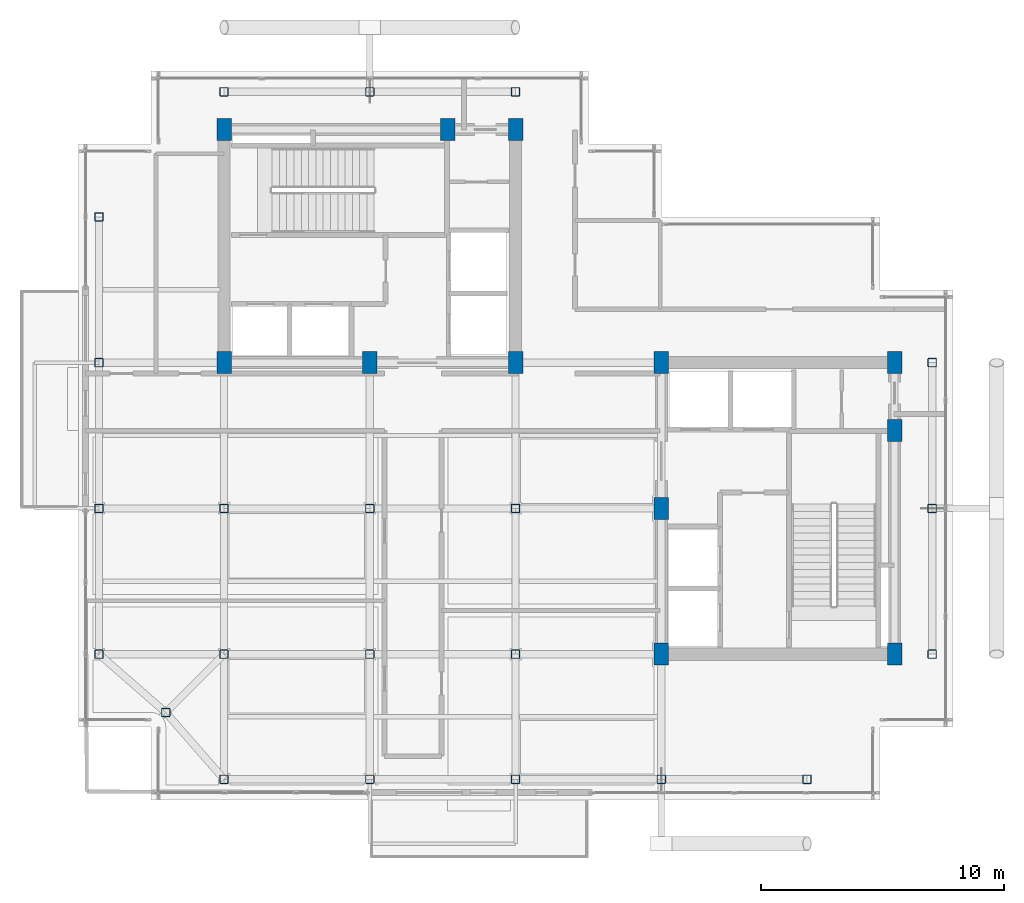
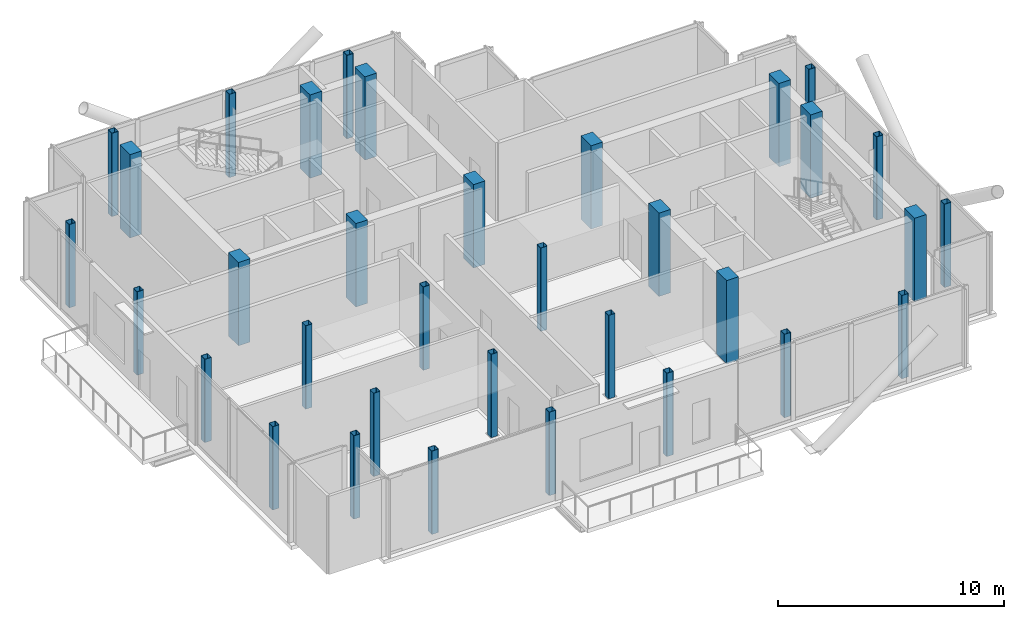
# One storey, part 1 of 16: 34 columns.
"""IFC4 building model written with IfcOpenShell, lengths in metres."""

from ifc_helpers import new_model, si_unit, direction, frame, origin, origin_2d, place, context, subcontext, project, spatial, rectangle, hollow_rectangle, extrude, material, material_profile, profile_set, type_object, element, save


model = new_model("IFC4")

# Units and contexts
model_context = context("Model", 3, precision=1e-05, world=origin(), true_north=direction((0.0, 1.0)))
body_context = subcontext(model_context, "Body", "Model", "MODEL_VIEW")
ifc_project = project(units=[si_unit("LENGTHUNIT", "METRE"), si_unit("AREAUNIT", "SQUARE_METRE"), si_unit("VOLUMEUNIT", "CUBIC_METRE"), si_unit("PLANEANGLEUNIT", "RADIAN"), si_unit("MASSUNIT", "GRAM", prefix="KILO"), si_unit("THERMODYNAMICTEMPERATUREUNIT", "KELVIN"), si_unit("POWERUNIT", "WATT")], contexts=[model_context])

# Site, building, storey
site_placement = place(None, origin())
site = spatial("IfcSite", under=ifc_project, at=site_placement, CompositionType="ELEMENT")
building_placement = place(site_placement, origin())
building = spatial("IfcBuilding", under=site, at=building_placement, Name="Svarakhadi Broadcast Tower", CompositionType="ELEMENT")
storey_placement = place(building_placement, frame((0.0, 0.0, 296.39990234375)))
storey = spatial("IfcBuildingStorey", under=building, at=storey_placement, Name="L75", CompositionType="ELEMENT", Elevation=296.39990234375)

# Columns
ifc_material_1 = material(Name="Concrete C50/60 (IS 456 M60)", Category="concrete")
ifc_material_profile_1 = material_profile(ifc_material_1, rectangle(XDim=0.60009765625, YDim=0.89990234375, at=origin_2d()), Name="RC 600x900")
ifc_profile_set_1 = profile_set([ifc_material_profile_1], Name="Concrete C50/60 (IS 456 M60)")
column_type_1 = type_object("IfcColumnType", Name="Col_RC600", PredefinedType="COLUMN", material=ifc_profile_set_1)
for number, where, z_axis, x_axis, name in (
    (1, (6.0, 18.0, 0.0), (0.0, 0.0, 1.0), (1.0, 0.0, 0.0), "L75 Column CW1"),
    (2, (12.0, 18.0, 0.0), (0.0, 0.0, 1.0), (1.0, 0.0, 0.0), "L75 Column CW2"),
    (3, (18.0, 18.0, 0.0), (0.0, 0.0, 1.0), (1.0, 0.0, 0.0), "L75 Column CW3"),
    (4, (6.0, 27.60009765625, 0.0), (0.0, 0.0, 1.0), (1.0, 0.0, 0.0), "L75 Column CW4"),
    (5, (15.199951171875, 27.60009765625, 0.0), (0.0, 0.0, 1.0), (1.0, 0.0, 0.0), "L75 Column CW5"),
    (6, (18.0, 27.60009765625, 0.0), (0.0, 0.0, 1.0), (1.0, 0.0, 0.0), "L75 Column CW6"),
    (7, (24.0, 6.0, 0.0), (0.0, 0.0, 1.0), (1.0, 0.0, 0.0), "L75 Column CE1"),
    (8, (24.0, 12.0, 0.0), (0.0, 0.0, 1.0), (1.0, 0.0, 0.0), "L75 Column CE2"),
    (9, (24.0, 18.0, 0.0), (0.0, 0.0, 1.0), (1.0, 0.0, 0.0), "L75 Column CE3"),
    (10, (33.60009765625, 6.0, 0.0), (0.0, 0.0, 1.0), (1.0, 0.0, 0.0), "L75 Column CE4"),
    (11, (33.60009765625, 15.199951171875, 0.0), (0.0, 0.0, 1.0), (1.0, 0.0, 0.0), "L75 Column CE5"),
    (12, (33.60009765625, 18.0, 0.0), (0.0, 0.0, 1.0), (1.0, 0.0, 0.0), "L75 Column CE6"),
):
    element("IfcColumn", number, at=place(storey_placement, frame(where, z_axis=z_axis, x_axis=x_axis)), inside=storey, type_object=column_type_1, Name=name, PredefinedType="COLUMN", context=body_context, shape_type="SweptSolid", body=[
        extrude(rectangle(XDim=0.60009765625, YDim=0.89990234375, at=origin_2d()), origin(), (0.0, 0.0, 1.0), 4.5),
    ])
ifc_material_2 = material(Name="Steel S460ML (IS 2062 E450BR)", Category="steel")
ifc_material_profile_2 = material_profile(ifc_material_2, hollow_rectangle(XDim=0.35009765625, YDim=0.35009765625, WallThickness=0.01611328125, InnerFilletRadius=0.01611328125, OuterFilletRadius=0.031982421875, at=origin_2d()), Name="SHS 350x350x16")
ifc_profile_set_2 = profile_set([ifc_material_profile_2], Name="Steel S460ML (IS 2062 E450BR)")
column_type_2 = type_object("IfcColumnType", Name="Col_SHS350", PredefinedType="COLUMN", material=ifc_profile_set_2)
for number, where, z_axis, x_axis, name in (
    (13, (3.60009765625, 3.60009765625, 0.0), (0.0, 0.0, 1.0), (1.0, 0.0, 0.0), "L75 Column G01"),
    (14, (0.85009765625, 6.0, 0.0), (0.0, 0.0, 1.0), (1.0, 0.0, 0.0), "L75 Column G03"),
    (15, (0.85009765625, 12.0, 0.0), (0.0, 0.0, 1.0), (1.0, 0.0, 0.0), "L75 Column G04"),
    (16, (0.85009765625, 18.0, 0.0), (0.0, 0.0, 1.0), (1.0, 0.0, 0.0), "L75 Column G05"),
    (17, (0.85009765625, 24.0, 0.0), (0.0, 0.0, 1.0), (1.0, 0.0, 0.0), "L75 Column G06"),
    (18, (6.0, 0.85009765625, 0.0), (0.0, 0.0, 1.0), (1.0, 0.0, 0.0), "L75 Column G11"),
    (19, (6.0, 6.0, 0.0), (0.0, 0.0, 1.0), (1.0, 0.0, 0.0), "L75 Column G12"),
    (20, (6.0, 12.0, 0.0), (0.0, 0.0, 1.0), (1.0, 0.0, 0.0), "L75 Column G13"),
    (21, (6.0, 29.14990234375, 0.0), (0.0, 0.0, 1.0), (1.0, 0.0, 0.0), "L75 Column G14"),
    (22, (12.0, 0.85009765625, 0.0), (0.0, 0.0, 1.0), (1.0, 0.0, 0.0), "L75 Column G18"),
    (23, (12.0, 6.0, 0.0), (0.0, 0.0, 1.0), (1.0, 0.0, 0.0), "L75 Column G19"),
    (24, (12.0, 12.0, 0.0), (0.0, 0.0, 1.0), (1.0, 0.0, 0.0), "L75 Column G20"),
    (25, (12.0, 29.14990234375, 0.0), (0.0, 0.0, 1.0), (1.0, 0.0, 0.0), "L75 Column G21"),
    (26, (18.0, 0.85009765625, 0.0), (0.0, 0.0, 1.0), (1.0, 0.0, 0.0), "L75 Column G25"),
    (27, (18.0, 6.0, 0.0), (0.0, 0.0, 1.0), (1.0, 0.0, 0.0), "L75 Column G26"),
    (28, (18.0, 12.0, 0.0), (0.0, 0.0, 1.0), (1.0, 0.0, 0.0), "L75 Column G27"),
    (29, (18.0, 29.14990234375, 0.0), (0.0, 0.0, 1.0), (1.0, 0.0, 0.0), "L75 Column G28"),
    (30, (24.0, 0.85009765625, 0.0), (0.0, 0.0, 1.0), (1.0, 0.0, 0.0), "L75 Column G32"),
    (31, (30.0, 0.85009765625, 0.0), (0.0, 0.0, 1.0), (1.0, 0.0, 0.0), "L75 Column G36"),
    (32, (35.14990234375, 6.0, 0.0), (0.0, 0.0, 1.0), (1.0, 0.0, 0.0), "L75 Column G39"),
    (33, (35.14990234375, 12.0, 0.0), (0.0, 0.0, 1.0), (1.0, 0.0, 0.0), "L75 Column G40"),
    (34, (35.14990234375, 18.0, 0.0), (0.0, 0.0, 1.0), (1.0, 0.0, 0.0), "L75 Column G41"),
):
    element("IfcColumn", number, at=place(storey_placement, frame(where, z_axis=z_axis, x_axis=x_axis)), inside=storey, type_object=column_type_2, Name=name, PredefinedType="COLUMN", context=body_context, shape_type="SweptSolid", body=[
        extrude(hollow_rectangle(XDim=0.35009765625, YDim=0.35009765625, WallThickness=0.01611328125, InnerFilletRadius=0.01611328125, OuterFilletRadius=0.031982421875, at=origin_2d()), origin(), (0.0, 0.0, 1.0), 4.5),
    ])

save(model, "model.ifc")
